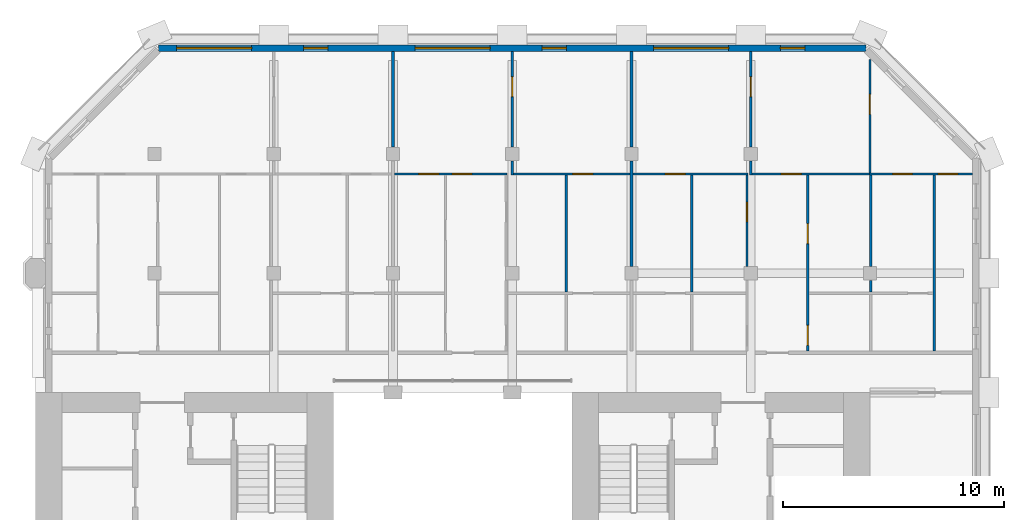
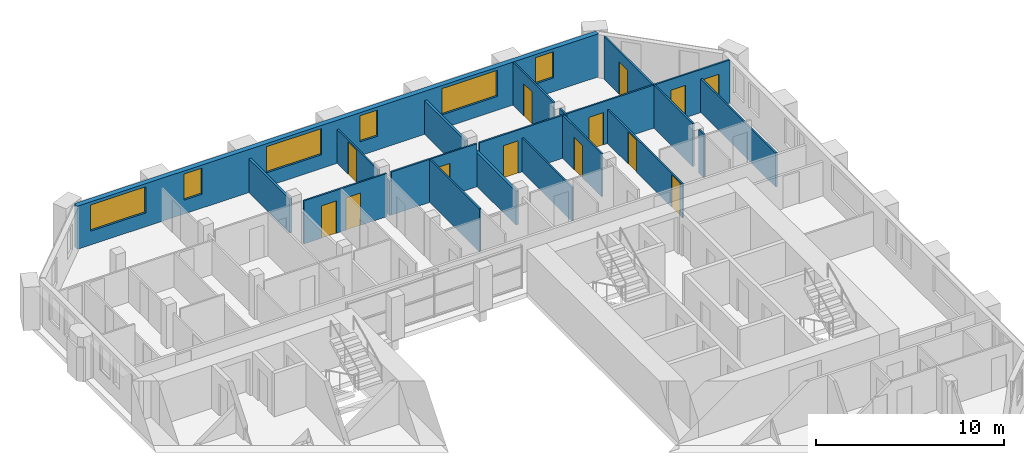
# One storey, part 9 of 13: 21 walls, 13 doors, 6 windows, 19 openings.
"""IFC4 building model written with IfcOpenShell, lengths in metres."""

from ifc_helpers import new_model, si_unit, direction, frame, frame_2d, origin, place, context, subcontext, project, spatial, rectangle, extrude, material, layer, layer_set, type_object, element, fill, save


model = new_model("IFC4")

# Units and contexts
model_context = context("Model", 3, precision=1e-05, world=origin(), true_north=direction((0.0, 1.0)))
body_context = subcontext(model_context, "Body", "Model", "MODEL_VIEW")
ifc_project = project(units=[si_unit("LENGTHUNIT", "METRE"), si_unit("AREAUNIT", "SQUARE_METRE"), si_unit("VOLUMEUNIT", "CUBIC_METRE"), si_unit("PLANEANGLEUNIT", "RADIAN"), si_unit("MASSUNIT", "GRAM", prefix="KILO")], contexts=[model_context])

# Site, building, storey
site_placement = place(None, origin())
site = spatial("IfcSite", under=ifc_project, at=site_placement, CompositionType="ELEMENT")
building_placement = place(site_placement, origin())
building = spatial("IfcBuilding", under=site, at=building_placement, Name="Tabaq Tower and Sports Hall", CompositionType="ELEMENT")
storey_placement = place(building_placement, frame((0.0, 0.0, 304.89990234375)))
storey = spatial("IfcBuildingStorey", under=building, at=storey_placement, Name="L76", CompositionType="ELEMENT", Elevation=304.89990234375)

# Wall, openings, doors
ifc_material_1 = material(Name="Gypsum board on steel studs", Category="steel")
ifc_layer_1 = layer(ifc_material_1, 0.10009765625)
ifc_layer_set_1 = layer_set([ifc_layer_1], Name="Partition 100 Gypsum board")
wall_type_1 = type_object("IfcWallType", Name="Partition 100 Gypsum board", PredefinedType="PARTITIONING", material=ifc_layer_set_1)
wall_1_placement = place(storey_placement, frame((21.675048828125, 42.300048828125, 0.0), z_axis=(0.0, 0.0, 1.0), x_axis=(1.0, 0.0, 0.0)))
wall_1 = element("IfcWall", 1, at=wall_1_placement, inside=storey, type_object=wall_type_1, Name="Partition wall L76", PredefinedType="PARTITIONING", context=body_context, shape_type="SweptSolid", body=[
    extrude(rectangle(XDim=5.096923828125, YDim=0.10009765625, at=frame_2d((2.54833984375, 0.0))), origin(), (0.0, 0.0, 1.0), 2.800048828125),
])
opening_1_placement = place(wall_1_placement, frame((1.096923828125, 0.0, 0.0)))
opening_1 = element("IfcOpeningElement", 2, at=opening_1_placement, cuts=wall_1, Name="Opening L76-033", PredefinedType="OPENING", context=body_context, shape_type="SweptSolid", body=[
    extrude(rectangle(XDim=0.89990234375, YDim=2.10009765625, at=frame_2d((0.449951171875, 1.050048828125))), frame((0.0, 0.050048828125, 0.0), z_axis=(0.0, -1.0, 0.0), x_axis=(1.0, 0.0, 0.0)), (0.0, 0.0, 1.0), 0.10009765625),
])
opening_2_placement = place(wall_1_placement, frame((2.596923828125, 0.0, 0.0)))
opening_2 = element("IfcOpeningElement", 3, at=opening_2_placement, cuts=wall_1, Name="Opening L76-052", PredefinedType="OPENING", context=body_context, shape_type="SweptSolid", body=[
    extrude(rectangle(XDim=0.89990234375, YDim=2.10009765625, at=frame_2d((0.449951171875, 1.050048828125))), frame((0.0, 0.050048828125, 0.0), z_axis=(0.0, -1.0, 0.0), x_axis=(1.0, 0.0, 0.0)), (0.0, 0.0, 1.0), 0.10009765625),
])
ifc_material_2 = material(Name="Timber leaf in steel frame", Category="steel")
door_type_1 = type_object("IfcDoorType", Name="Internal door 900 left hand", OperationType="SINGLE_SWING_LEFT", PredefinedType="DOOR", material=ifc_material_2)
door_1_placement = place(opening_2_placement, origin())
door_1 = element("IfcDoor", 4, at=door_1_placement, inside=storey, type_object=door_type_1, Name="Internal door L76-052", OperationType="SINGLE_SWING_LEFT", OverallHeight=2.10009765625, OverallWidth=0.89990234375, PredefinedType="DOOR", context=body_context, shape_type="SweptSolid", body=[
    extrude(rectangle(XDim=0.89990234375, YDim=2.10009765625, at=frame_2d((0.449951171875, 1.050048828125))), frame((0.0, 0.02490234375, 0.0), z_axis=(0.0, -1.0, 0.0), x_axis=(1.0, 0.0, 0.0)), (0.0, 0.0, 1.0), 0.050048828125),
])
fill(opening_2, door_1)
ifc_material_3 = material(Name="Timber leaf in steel frame", Category="steel")
door_type_2 = type_object("IfcDoorType", Name="Internal door 900 right hand", OperationType="SINGLE_SWING_RIGHT", PredefinedType="DOOR", material=ifc_material_3)
door_2_placement = place(opening_1_placement, origin())
door_2 = element("IfcDoor", 5, at=door_2_placement, inside=storey, type_object=door_type_2, Name="Internal door L76-033", OperationType="SINGLE_SWING_RIGHT", OverallHeight=2.10009765625, OverallWidth=0.89990234375, PredefinedType="DOOR", context=body_context, shape_type="SweptSolid", body=[
    extrude(rectangle(XDim=0.89990234375, YDim=2.10009765625, at=frame_2d((0.449951171875, 1.050048828125))), frame((0.0, 0.02490234375, 0.0), z_axis=(0.0, -1.0, 0.0), x_axis=(1.0, 0.0, 0.0)), (0.0, 0.0, 1.0), 0.050048828125),
])
fill(opening_1, door_2)

# Wall
wall_2_placement = place(storey_placement, frame((27.0, 42.25, 0.0), z_axis=(0.0, 0.0, 1.0), x_axis=(0.0, 1.0, 0.0)))
element("IfcWall", 6, at=wall_2_placement, inside=storey, type_object=wall_type_1, Name="Partition wall L76", PredefinedType="PARTITIONING", context=body_context, shape_type="SweptSolid", body=[
    extrude(rectangle(XDim=0.6298828125, YDim=0.10009765625, at=frame_2d((0.31494140625, 0.0))), origin(), (0.0, 0.0, 1.0), 2.2001953125),
])

# Wall, opening, door
wall_3_placement = place(storey_placement, frame((27.0, 43.52001953125, 0.0), z_axis=(0.0, 0.0, 1.0), x_axis=(0.0, 1.0, 0.0)))
wall_3 = element("IfcWall", 7, at=wall_3_placement, inside=storey, type_object=wall_type_1, Name="Partition wall L76", PredefinedType="PARTITIONING", context=body_context, shape_type="SweptSolid", body=[
    extrude(rectangle(XDim=4.3291015625, YDim=0.10009765625, at=frame_2d((2.16455078125, 0.0))), origin(), (0.0, 0.0, 1.0), 2.2001953125),
])
opening_3_placement = place(wall_3_placement, frame((2.280029296875, 0.0, 0.0)))
opening_3 = element("IfcOpeningElement", 8, at=opening_3_placement, cuts=wall_3, Name="Opening L76-032", PredefinedType="OPENING", context=body_context, shape_type="SweptSolid", body=[
    extrude(rectangle(XDim=0.89990234375, YDim=2.10009765625, at=frame_2d((0.449951171875, 1.050048828125))), frame((0.0, 0.050048828125, 0.0), z_axis=(0.0, -1.0, 0.0), x_axis=(1.0, 0.0, 0.0)), (0.0, 0.0, 1.0), 0.10009765625),
])
door_3_placement = place(opening_3_placement, origin())
door_3 = element("IfcDoor", 9, at=door_3_placement, inside=storey, type_object=door_type_2, Name="Internal door L76-032", OperationType="SINGLE_SWING_RIGHT", OverallHeight=2.10009765625, OverallWidth=0.89990234375, PredefinedType="DOOR", context=body_context, shape_type="SweptSolid", body=[
    extrude(rectangle(XDim=0.89990234375, YDim=2.10009765625, at=frame_2d((0.449951171875, 1.050048828125))), frame((0.0, 0.02490234375, 0.0), z_axis=(0.0, -1.0, 0.0), x_axis=(1.0, 0.0, 0.0)), (0.0, 0.0, 1.0), 0.050048828125),
])
fill(opening_3, door_3)

wall_4_placement = place(storey_placement, frame((27.050048828125, 42.300048828125, 0.0), z_axis=(0.0, 0.0, 1.0), x_axis=(1.0, 0.0, 0.0)))
wall_4 = element("IfcWall", 10, at=wall_4_placement, inside=storey, type_object=wall_type_1, Name="Partition wall L76", PredefinedType="PARTITIONING", context=body_context, shape_type="SweptSolid", body=[
    extrude(rectangle(XDim=5.27490234375, YDim=0.10009765625, at=frame_2d((2.637451171875, 0.0))), origin(), (0.0, 0.0, 1.0), 2.800048828125),
])
opening_4_placement = place(wall_4_placement, frame((2.699951171875, 0.0, 0.0)))
opening_4 = element("IfcOpeningElement", 11, at=opening_4_placement, cuts=wall_4, Name="Opening L76-034", PredefinedType="OPENING", context=body_context, shape_type="SweptSolid", body=[
    extrude(rectangle(XDim=0.89990234375, YDim=2.10009765625, at=frame_2d((0.449951171875, 1.050048828125))), frame((0.0, 0.050048828125, 0.0), z_axis=(0.0, -1.0, 0.0), x_axis=(1.0, 0.0, 0.0)), (0.0, 0.0, 1.0), 0.10009765625),
])
door_4_placement = place(opening_4_placement, origin())
door_4 = element("IfcDoor", 12, at=door_4_placement, inside=storey, type_object=door_type_1, Name="Internal door L76-034", OperationType="SINGLE_SWING_LEFT", OverallHeight=2.10009765625, OverallWidth=0.89990234375, PredefinedType="DOOR", context=body_context, shape_type="SweptSolid", body=[
    extrude(rectangle(XDim=0.89990234375, YDim=2.10009765625, at=frame_2d((0.449951171875, 1.050048828125))), frame((0.0, 0.02490234375, 0.0), z_axis=(0.0, -1.0, 0.0), x_axis=(1.0, 0.0, 0.0)), (0.0, 0.0, 1.0), 0.050048828125),
])
fill(opening_4, door_4)

# Wall
wall_5_placement = place(storey_placement, frame((29.449951171875, 36.949951171875, 0.0), z_axis=(0.0, 0.0, 1.0), x_axis=(0.0, 1.0, 0.0)))
element("IfcWall", 13, at=wall_5_placement, inside=storey, type_object=wall_type_1, Name="Partition wall L76", PredefinedType="PARTITIONING", context=body_context, shape_type="SweptSolid", body=[
    extrude(rectangle(XDim=5.300048828125, YDim=0.10009765625, at=frame_2d((2.64990234375, 0.0))), origin(), (0.0, 0.0, 1.0), 2.800048828125),
])

# Wall, opening, door
wall_6_placement = place(storey_placement, frame((32.47509765625, 42.300048828125, 0.0), z_axis=(0.0, 0.0, 1.0), x_axis=(1.0, 0.0, 0.0)))
wall_6 = element("IfcWall", 14, at=wall_6_placement, inside=storey, type_object=wall_type_1, Name="Partition wall L76", PredefinedType="PARTITIONING", context=body_context, shape_type="SweptSolid", body=[
    extrude(rectangle(XDim=5.2099609375, YDim=0.10009765625, at=frame_2d((2.60498046875, 0.0))), origin(), (0.0, 0.0, 1.0), 2.800048828125),
])
opening_5_placement = place(wall_6_placement, frame((1.4599609375, 0.0, 0.0)))
opening_5 = element("IfcOpeningElement", 15, at=opening_5_placement, cuts=wall_6, Name="Opening L76-037", PredefinedType="OPENING", context=body_context, shape_type="SweptSolid", body=[
    extrude(rectangle(XDim=0.89990234375, YDim=2.10009765625, at=frame_2d((0.449951171875, 1.050048828125))), frame((0.0, 0.050048828125, 0.0), z_axis=(0.0, -1.0, 0.0), x_axis=(1.0, 0.0, 0.0)), (0.0, 0.0, 1.0), 0.10009765625),
])
door_5_placement = place(opening_5_placement, origin())
door_5 = element("IfcDoor", 16, at=door_5_placement, inside=storey, type_object=door_type_2, Name="Internal door L76-037", OperationType="SINGLE_SWING_RIGHT", OverallHeight=2.10009765625, OverallWidth=0.89990234375, PredefinedType="DOOR", context=body_context, shape_type="SweptSolid", body=[
    extrude(rectangle(XDim=0.89990234375, YDim=2.10009765625, at=frame_2d((0.449951171875, 1.050048828125))), frame((0.0, 0.02490234375, 0.0), z_axis=(0.0, -1.0, 0.0), x_axis=(1.0, 0.0, 0.0)), (0.0, 0.0, 1.0), 0.050048828125),
])
fill(opening_5, door_5)

# Wall
wall_7_placement = place(storey_placement, frame((37.800048828125, 42.25, 0.0), z_axis=(0.0, 0.0, 1.0), x_axis=(0.0, 1.0, 0.0)))
element("IfcWall", 17, at=wall_7_placement, inside=storey, type_object=wall_type_1, Name="Partition wall L76", PredefinedType="PARTITIONING", context=body_context, shape_type="SweptSolid", body=[
    extrude(rectangle(XDim=0.6298828125, YDim=0.10009765625, at=frame_2d((0.31494140625, 0.0))), origin(), (0.0, 0.0, 1.0), 2.800048828125),
])

# Wall, opening, door
wall_8_placement = place(storey_placement, frame((37.800048828125, 43.52001953125, 0.0), z_axis=(0.0, 0.0, 1.0), x_axis=(0.0, 1.0, 0.0)))
wall_8 = element("IfcWall", 18, at=wall_8_placement, inside=storey, type_object=wall_type_1, Name="Partition wall L76", PredefinedType="PARTITIONING", context=body_context, shape_type="SweptSolid", body=[
    extrude(rectangle(XDim=4.3291015625, YDim=0.10009765625, at=frame_2d((2.16455078125, 0.0))), origin(), (0.0, 0.0, 1.0), 2.800048828125),
])
opening_6_placement = place(wall_8_placement, frame((2.280029296875, 0.0, 0.0)))
opening_6 = element("IfcOpeningElement", 19, at=opening_6_placement, cuts=wall_8, Name="Opening L76-036", PredefinedType="OPENING", context=body_context, shape_type="SweptSolid", body=[
    extrude(rectangle(XDim=0.89990234375, YDim=2.10009765625, at=frame_2d((0.449951171875, 1.050048828125))), frame((0.0, 0.050048828125, 0.0), z_axis=(0.0, -1.0, 0.0), x_axis=(1.0, 0.0, 0.0)), (0.0, 0.0, 1.0), 0.10009765625),
])
door_6_placement = place(opening_6_placement, origin())
door_6 = element("IfcDoor", 20, at=door_6_placement, inside=storey, type_object=door_type_1, Name="Internal door L76-036", OperationType="SINGLE_SWING_LEFT", OverallHeight=2.10009765625, OverallWidth=0.89990234375, PredefinedType="DOOR", context=body_context, shape_type="SweptSolid", body=[
    extrude(rectangle(XDim=0.89990234375, YDim=2.10009765625, at=frame_2d((0.449951171875, 1.050048828125))), frame((0.0, 0.02490234375, 0.0), z_axis=(0.0, -1.0, 0.0), x_axis=(1.0, 0.0, 0.0)), (0.0, 0.0, 1.0), 0.050048828125),
])
fill(opening_6, door_6)

wall_9_placement = place(storey_placement, frame((37.85009765625, 42.300048828125, 0.0), z_axis=(0.0, 0.0, 1.0), x_axis=(1.0, 0.0, 0.0)))
wall_9 = element("IfcWall", 21, at=wall_9_placement, inside=storey, type_object=wall_type_1, Name="Partition wall L76", PredefinedType="PARTITIONING", context=body_context, shape_type="SweptSolid", body=[
    extrude(rectangle(XDim=5.39990234375, YDim=0.10009765625, at=frame_2d((2.699951171875, 0.0))), origin(), (0.0, 0.0, 1.0), 2.800048828125),
])
opening_7_placement = place(wall_9_placement, frame((1.3349609375, 0.0, 0.0)))
opening_7 = element("IfcOpeningElement", 22, at=opening_7_placement, cuts=wall_9, Name="Opening L76-054", PredefinedType="OPENING", context=body_context, shape_type="SweptSolid", body=[
    extrude(rectangle(XDim=0.89990234375, YDim=2.10009765625, at=frame_2d((0.449951171875, 1.050048828125))), frame((0.0, 0.050048828125, 0.0), z_axis=(0.0, -1.0, 0.0), x_axis=(1.0, 0.0, 0.0)), (0.0, 0.0, 1.0), 0.10009765625),
])
door_7_placement = place(opening_7_placement, origin())
door_7 = element("IfcDoor", 23, at=door_7_placement, inside=storey, type_object=door_type_2, Name="Internal door L76-054", OperationType="SINGLE_SWING_RIGHT", OverallHeight=2.10009765625, OverallWidth=0.89990234375, PredefinedType="DOOR", context=body_context, shape_type="SweptSolid", body=[
    extrude(rectangle(XDim=0.89990234375, YDim=2.10009765625, at=frame_2d((0.449951171875, 1.050048828125))), frame((0.0, 0.02490234375, 0.0), z_axis=(0.0, -1.0, 0.0), x_axis=(1.0, 0.0, 0.0)), (0.0, 0.0, 1.0), 0.050048828125),
])
fill(opening_7, door_7)

wall_10_placement = place(storey_placement, frame((43.199951171875, 42.35009765625, 0.0), z_axis=(0.0, 0.0, 1.0), x_axis=(0.0, 1.0, 0.0)))
wall_10 = element("IfcWall", 24, at=wall_10_placement, inside=storey, type_object=wall_type_1, Name="Partition wall L76", PredefinedType="PARTITIONING", context=body_context, shape_type="SweptSolid", body=[
    extrude(rectangle(XDim=5.1376953125, YDim=0.10009765625, at=frame_2d((2.56884765625, 0.0))), origin(), (0.0, 0.0, 1.0), 2.800048828125),
])
opening_8_placement = place(wall_10_placement, frame((2.64990234375, 0.0, 0.0)))
opening_8 = element("IfcOpeningElement", 25, at=opening_8_placement, cuts=wall_10, Name="Opening L76-053", PredefinedType="OPENING", context=body_context, shape_type="SweptSolid", body=[
    extrude(rectangle(XDim=0.89990234375, YDim=2.10009765625, at=frame_2d((0.449951171875, 1.050048828125))), frame((0.0, 0.050048828125, 0.0), z_axis=(0.0, -1.0, 0.0), x_axis=(1.0, 0.0, 0.0)), (0.0, 0.0, 1.0), 0.10009765625),
])
door_8_placement = place(opening_8_placement, origin())
door_8 = element("IfcDoor", 26, at=door_8_placement, inside=storey, type_object=door_type_2, Name="Internal door L76-053", OperationType="SINGLE_SWING_RIGHT", OverallHeight=2.10009765625, OverallWidth=0.89990234375, PredefinedType="DOOR", context=body_context, shape_type="SweptSolid", body=[
    extrude(rectangle(XDim=0.89990234375, YDim=2.10009765625, at=frame_2d((0.449951171875, 1.050048828125))), frame((0.0, 0.02490234375, 0.0), z_axis=(0.0, -1.0, 0.0), x_axis=(1.0, 0.0, 0.0)), (0.0, 0.0, 1.0), 0.050048828125),
])
fill(opening_8, door_8)

# Wall, openings, doors
wall_11_placement = place(storey_placement, frame((43.18505859375, 42.300048828125, 0.0), z_axis=(0.0, 0.0, 1.0), x_axis=(1.0, 0.0, 0.0)))
wall_11 = element("IfcWall", 27, at=wall_11_placement, inside=storey, type_object=wall_type_1, Name="Partition wall L76", PredefinedType="PARTITIONING", context=body_context, shape_type="SweptSolid", body=[
    extrude(rectangle(XDim=4.6640625, YDim=0.10009765625, at=frame_2d((2.33203125, 0.0))), origin(), (0.0, 0.0, 1.0), 2.800048828125),
])
opening_9_placement = place(wall_11_placement, frame((3.10009765625, 0.0, 0.0)))
opening_9 = element("IfcOpeningElement", 28, at=opening_9_placement, cuts=wall_11, Name="Opening L76-011", PredefinedType="OPENING", context=body_context, shape_type="SweptSolid", body=[
    extrude(rectangle(XDim=0.89990234375, YDim=2.10009765625, at=frame_2d((0.449951171875, 1.050048828125))), frame((0.0, 0.050048828125, 0.0), z_axis=(0.0, -1.0, 0.0), x_axis=(1.0, 0.0, 0.0)), (0.0, 0.0, 1.0), 0.10009765625),
])
opening_10_placement = place(wall_11_placement, frame((1.0400390625, 0.0, 0.0)))
opening_10 = element("IfcOpeningElement", 29, at=opening_10_placement, cuts=wall_11, Name="Opening L76-038", PredefinedType="OPENING", context=body_context, shape_type="SweptSolid", body=[
    extrude(rectangle(XDim=0.89990234375, YDim=2.10009765625, at=frame_2d((0.449951171875, 1.050048828125))), frame((0.0, 0.050048828125, 0.0), z_axis=(0.0, -1.0, 0.0), x_axis=(1.0, 0.0, 0.0)), (0.0, 0.0, 1.0), 0.10009765625),
])
door_9_placement = place(opening_10_placement, origin())
door_9 = element("IfcDoor", 30, at=door_9_placement, inside=storey, type_object=door_type_1, Name="Internal door L76-038", OperationType="SINGLE_SWING_LEFT", OverallHeight=2.10009765625, OverallWidth=0.89990234375, PredefinedType="DOOR", context=body_context, shape_type="SweptSolid", body=[
    extrude(rectangle(XDim=0.89990234375, YDim=2.10009765625, at=frame_2d((0.449951171875, 1.050048828125))), frame((0.0, 0.02490234375, 0.0), z_axis=(0.0, -1.0, 0.0), x_axis=(1.0, 0.0, 0.0)), (0.0, 0.0, 1.0), 0.050048828125),
])
fill(opening_10, door_9)
door_10_placement = place(opening_9_placement, origin())
door_10 = element("IfcDoor", 31, at=door_10_placement, inside=storey, type_object=door_type_2, Name="Internal door L76-011", OperationType="SINGLE_SWING_RIGHT", OverallHeight=2.10009765625, OverallWidth=0.89990234375, PredefinedType="DOOR", context=body_context, shape_type="SweptSolid", body=[
    extrude(rectangle(XDim=0.89990234375, YDim=2.10009765625, at=frame_2d((0.449951171875, 1.050048828125))), frame((0.0, 0.02490234375, 0.0), z_axis=(0.0, -1.0, 0.0), x_axis=(1.0, 0.0, 0.0)), (0.0, 0.0, 1.0), 0.050048828125),
])
fill(opening_9, door_10)

# Wall
wall_12_placement = place(storey_placement, frame((35.135009765625, 36.949951171875, 0.0), z_axis=(0.0, 0.0, 1.0), x_axis=(0.0, 1.0, 0.0)))
element("IfcWall", 32, at=wall_12_placement, inside=storey, type_object=wall_type_1, Name="Partition wall L76", PredefinedType="PARTITIONING", context=body_context, shape_type="SweptSolid", body=[
    extrude(rectangle(XDim=5.300048828125, YDim=0.10009765625, at=frame_2d((2.64990234375, 0.0))), origin(), (0.0, 0.0, 1.0), 2.2001953125),
])

# Wall, opening, door
wall_13_placement = place(storey_placement, frame((37.635009765625, 38.1201171875, 0.0), z_axis=(0.0, 0.0, 1.0), x_axis=(0.0, 1.0, 0.0)))
wall_13 = element("IfcWall", 33, at=wall_13_placement, inside=storey, type_object=wall_type_1, Name="Partition wall L76", PredefinedType="PARTITIONING", context=body_context, shape_type="SweptSolid", body=[
    extrude(rectangle(XDim=4.1298828125, YDim=0.10009765625, at=frame_2d((2.06494140625, 0.0))), origin(), (0.0, 0.0, 1.0), 2.800048828125),
])
opening_11_placement = place(wall_13_placement, frame((2.0048828125, 0.0, 0.0)))
opening_11 = element("IfcOpeningElement", 34, at=opening_11_placement, cuts=wall_13, Name="Opening L76-013", PredefinedType="OPENING", context=body_context, shape_type="SweptSolid", body=[
    extrude(rectangle(XDim=0.89990234375, YDim=2.10009765625, at=frame_2d((0.449951171875, 1.050048828125))), frame((0.0, 0.050048828125, 0.0), z_axis=(0.0, -1.0, 0.0), x_axis=(1.0, 0.0, 0.0)), (0.0, 0.0, 1.0), 0.10009765625),
])
door_11_placement = place(opening_11_placement, origin())
door_11 = element("IfcDoor", 35, at=door_11_placement, inside=storey, type_object=door_type_2, Name="Internal door L76-013", OperationType="SINGLE_SWING_RIGHT", OverallHeight=2.10009765625, OverallWidth=0.89990234375, PredefinedType="DOOR", context=body_context, shape_type="SweptSolid", body=[
    extrude(rectangle(XDim=0.89990234375, YDim=2.10009765625, at=frame_2d((0.449951171875, 1.050048828125))), frame((0.0, 0.02490234375, 0.0), z_axis=(0.0, -1.0, 0.0), x_axis=(1.0, 0.0, 0.0)), (0.0, 0.0, 1.0), 0.050048828125),
])
fill(opening_11, door_11)

# Wall, openings, doors
wall_14_placement = place(storey_placement, frame((40.385009765625, 34.27490234375, 0.0), z_axis=(0.0, 0.0, 1.0), x_axis=(0.0, 1.0, 0.0)))
wall_14 = element("IfcWall", 36, at=wall_14_placement, inside=storey, type_object=wall_type_1, Name="Partition wall L76", PredefinedType="PARTITIONING", context=body_context, shape_type="SweptSolid", body=[
    extrude(rectangle(XDim=7.97509765625, YDim=0.10009765625, at=frame_2d((3.987548828125, 0.0))), origin(), (0.0, 0.0, 1.0), 2.2001953125),
])
opening_12_placement = place(wall_14_placement, frame((4.875, 0.0, 0.0)))
opening_12 = element("IfcOpeningElement", 37, at=opening_12_placement, cuts=wall_14, Name="Opening L76-015", PredefinedType="OPENING", context=body_context, shape_type="SweptSolid", body=[
    extrude(rectangle(XDim=0.89990234375, YDim=2.10009765625, at=frame_2d((0.449951171875, 1.050048828125))), frame((0.0, 0.050048828125, 0.0), z_axis=(0.0, -1.0, 0.0), x_axis=(1.0, 0.0, 0.0)), (0.0, 0.0, 1.0), 0.10009765625),
])
opening_13_placement = place(wall_14_placement, frame((0.262451171875, 0.0, 0.0)))
opening_13 = element("IfcOpeningElement", 38, at=opening_13_placement, cuts=wall_14, Name="Opening L76-016", PredefinedType="OPENING", context=body_context, shape_type="SweptSolid", body=[
    extrude(rectangle(XDim=0.89990234375, YDim=2.10009765625, at=frame_2d((0.449951171875, 1.050048828125))), frame((0.0, 0.050048828125, 0.0), z_axis=(0.0, -1.0, 0.0), x_axis=(1.0, 0.0, 0.0)), (0.0, 0.0, 1.0), 0.10009765625),
])
door_12_placement = place(opening_12_placement, origin())
door_12 = element("IfcDoor", 39, at=door_12_placement, inside=storey, type_object=door_type_1, Name="Internal door L76-015", OperationType="SINGLE_SWING_LEFT", OverallHeight=2.10009765625, OverallWidth=0.89990234375, PredefinedType="DOOR", context=body_context, shape_type="SweptSolid", body=[
    extrude(rectangle(XDim=0.89990234375, YDim=2.10009765625, at=frame_2d((0.449951171875, 1.050048828125))), frame((0.0, 0.02490234375, 0.0), z_axis=(0.0, -1.0, 0.0), x_axis=(1.0, 0.0, 0.0)), (0.0, 0.0, 1.0), 0.050048828125),
])
fill(opening_12, door_12)
door_13_placement = place(opening_13_placement, origin())
door_13 = element("IfcDoor", 40, at=door_13_placement, inside=storey, type_object=door_type_1, Name="Internal door L76-016", OperationType="SINGLE_SWING_LEFT", OverallHeight=2.10009765625, OverallWidth=0.89990234375, PredefinedType="DOOR", context=body_context, shape_type="SweptSolid", body=[
    extrude(rectangle(XDim=0.89990234375, YDim=2.10009765625, at=frame_2d((0.449951171875, 1.050048828125))), frame((0.0, 0.02490234375, 0.0), z_axis=(0.0, -1.0, 0.0), x_axis=(1.0, 0.0, 0.0)), (0.0, 0.0, 1.0), 0.050048828125),
])
fill(opening_13, door_13)

# Walls
wall_15_placement = place(storey_placement, frame((43.235107421875, 36.949951171875, 0.0), z_axis=(0.0, 0.0, 1.0), x_axis=(0.0, 1.0, 0.0)))
element("IfcWall", 41, at=wall_15_placement, inside=storey, type_object=wall_type_1, Name="Partition wall L76", PredefinedType="PARTITIONING", context=body_context, shape_type="SweptSolid", body=[
    extrude(rectangle(XDim=0.530029296875, YDim=0.10009765625, at=frame_2d((0.26513671875, 0.0))), origin(), (0.0, 0.0, 1.0), 2.800048828125),
])
wall_16_placement = place(storey_placement, frame((43.235107421875, 38.1201171875, 0.0), z_axis=(0.0, 0.0, 1.0), x_axis=(0.0, 1.0, 0.0)))
element("IfcWall", 42, at=wall_16_placement, inside=storey, type_object=wall_type_1, Name="Partition wall L76", PredefinedType="PARTITIONING", context=body_context, shape_type="SweptSolid", body=[
    extrude(rectangle(XDim=4.1298828125, YDim=0.10009765625, at=frame_2d((2.06494140625, 0.0))), origin(), (0.0, 0.0, 1.0), 2.800048828125),
])
wall_17_placement = place(storey_placement, frame((46.114990234375, 34.27490234375, 0.0), z_axis=(0.0, 0.0, 1.0), x_axis=(0.0, 1.0, 0.0)))
element("IfcWall", 43, at=wall_17_placement, inside=storey, type_object=wall_type_1, Name="Partition wall L76", PredefinedType="PARTITIONING", context=body_context, shape_type="SweptSolid", body=[
    extrude(rectangle(XDim=7.97509765625, YDim=0.10009765625, at=frame_2d((3.987548828125, 0.0))), origin(), (0.0, 0.0, 1.0), 2.2001953125),
])
ifc_material_4 = material(Name="Blockwork", Category="masonry")
ifc_layer_2 = layer(ifc_material_4, 0.14990234375)
ifc_layer_set_2 = layer_set([ifc_layer_2], Name="Separating wall 150 Blockwork")
wall_type_2 = type_object("IfcWallType", Name="Separating wall 150 Blockwork", PredefinedType="PARTITIONING", material=ifc_layer_set_2)
for number, where, z_axis, x_axis, name in (
    (44, (21.60009765625, 43.52001953125, 0.0), (0.0, 0.0, 1.0), (0.0, 1.0, 0.0), "Separating wall L76"),
    (45, (32.39990234375, 43.52001953125, 0.0), (0.0, 0.0, 1.0), (0.0, 1.0, 0.0), "Separating wall L76"),
):
    element("IfcWall", number, at=place(storey_placement, frame(where, z_axis=z_axis, x_axis=x_axis)), inside=storey, type_object=wall_type_2, Name=name, PredefinedType="PARTITIONING", context=body_context, shape_type="SweptSolid", body=[
        extrude(rectangle(XDim=4.3291015625, YDim=0.14990234375, at=frame_2d((2.16455078125, 0.0))), origin(), (0.0, 0.0, 1.0), 2.2001953125),
    ])
wall_18_placement = place(storey_placement, frame((32.39990234375, 38.1201171875, 0.0), z_axis=(0.0, 0.0, 1.0), x_axis=(0.0, 1.0, 0.0)))
element("IfcWall", 46, at=wall_18_placement, inside=storey, type_object=wall_type_2, Name="Separating wall L76", PredefinedType="PARTITIONING", context=body_context, shape_type="SweptSolid", body=[
    extrude(rectangle(XDim=4.759765625, YDim=0.14990234375, at=frame_2d((2.3798828125, 0.0))), origin(), (0.0, 0.0, 1.0), 2.2001953125),
])

# Wall, openings, windows
ifc_material_5 = material(Name="White precast concrete C60/75", Category="concrete")
ifc_layer_3 = layer(ifc_material_5, 0.300048828125)
ifc_layer_set_3 = layer_set([ifc_layer_3], Name="White precast concrete C60/75 external wall 300")
wall_type_3 = type_object("IfcWallType", Name="White precast concrete C60/75 external wall 300", PredefinedType="SOLIDWALL", material=ifc_layer_set_3)
wall_19_placement = place(storey_placement, frame((43.013671875, 48.0, 0.0), z_axis=(0.0, 0.0, 1.0), x_axis=(-1.0, 0.0, 0.0)))
wall_19 = element("IfcWall", 47, at=wall_19_placement, inside=storey, type_object=wall_type_3, Name="External Wall L76 N", PredefinedType="SOLIDWALL", context=body_context, shape_type="SweptSolid", body=[
    extrude(rectangle(XDim=32.02734375, YDim=0.300048828125, at=frame_2d((16.013671875, 0.0))), origin(), (0.0, 0.0, 1.0), 2.800048828125),
])
opening_14_placement = place(wall_19_placement, frame((2.763671875, 0.0, 0.89990234375)))
opening_14 = element("IfcOpeningElement", 48, at=opening_14_placement, cuts=wall_19, Name="Opening W1B", PredefinedType="OPENING", context=body_context, shape_type="SweptSolid", body=[
    extrude(rectangle(XDim=1.10009765625, YDim=1.699951171875, at=frame_2d((0.550048828125, 0.85009765625))), frame((0.0, 0.16015625, 0.0), z_axis=(0.0, -1.0, 0.0), x_axis=(1.0, 0.0, 0.0)), (0.0, 0.0, 1.0), 0.320068359375),
])
opening_15_placement = place(wall_19_placement, frame((6.213623046875, 0.0, 0.89990234375)))
opening_15 = element("IfcOpeningElement", 49, at=opening_15_placement, cuts=wall_19, Name="Opening W1A", PredefinedType="OPENING", context=body_context, shape_type="SweptSolid", body=[
    extrude(rectangle(XDim=3.39990234375, YDim=1.699951171875, at=frame_2d((1.699951171875, 0.85009765625))), frame((0.0, 0.16015625, 0.0), z_axis=(0.0, -1.0, 0.0), x_axis=(1.0, 0.0, 0.0)), (0.0, 0.0, 1.0), 0.320068359375),
])
opening_16_placement = place(wall_19_placement, frame((13.563720703125, 0.0, 0.89990234375)))
opening_16 = element("IfcOpeningElement", 50, at=opening_16_placement, cuts=wall_19, Name="Opening W1B", PredefinedType="OPENING", context=body_context, shape_type="SweptSolid", body=[
    extrude(rectangle(XDim=1.10009765625, YDim=1.699951171875, at=frame_2d((0.550048828125, 0.85009765625))), frame((0.0, 0.16015625, 0.0), z_axis=(0.0, -1.0, 0.0), x_axis=(1.0, 0.0, 0.0)), (0.0, 0.0, 1.0), 0.320068359375),
])
opening_17_placement = place(wall_19_placement, frame((17.013671875, 0.0, 0.89990234375)))
opening_17 = element("IfcOpeningElement", 51, at=opening_17_placement, cuts=wall_19, Name="Opening W1A", PredefinedType="OPENING", context=body_context, shape_type="SweptSolid", body=[
    extrude(rectangle(XDim=3.39990234375, YDim=1.699951171875, at=frame_2d((1.699951171875, 0.85009765625))), frame((0.0, 0.16015625, 0.0), z_axis=(0.0, -1.0, 0.0), x_axis=(1.0, 0.0, 0.0)), (0.0, 0.0, 1.0), 0.320068359375),
])
opening_18_placement = place(wall_19_placement, frame((24.363525390625, 0.0, 0.89990234375)))
opening_18 = element("IfcOpeningElement", 52, at=opening_18_placement, cuts=wall_19, Name="Opening W1B", PredefinedType="OPENING", context=body_context, shape_type="SweptSolid", body=[
    extrude(rectangle(XDim=1.10009765625, YDim=1.699951171875, at=frame_2d((0.550048828125, 0.85009765625))), frame((0.0, 0.16015625, 0.0), z_axis=(0.0, -1.0, 0.0), x_axis=(1.0, 0.0, 0.0)), (0.0, 0.0, 1.0), 0.320068359375),
])
opening_19_placement = place(wall_19_placement, frame((27.813720703125, 0.0, 0.89990234375)))
opening_19 = element("IfcOpeningElement", 53, at=opening_19_placement, cuts=wall_19, Name="Opening W1A", PredefinedType="OPENING", context=body_context, shape_type="SweptSolid", body=[
    extrude(rectangle(XDim=3.39990234375, YDim=1.699951171875, at=frame_2d((1.699951171875, 0.85009765625))), frame((0.0, 0.16015625, 0.0), z_axis=(0.0, -1.0, 0.0), x_axis=(1.0, 0.0, 0.0)), (0.0, 0.0, 1.0), 0.320068359375),
])
ifc_material_6 = material(Name="Aluminium framed clear glazing", Category="aluminium")
window_type_1 = type_object("IfcWindowType", Name="Window W1A", PartitioningType="SINGLE_PANEL", PredefinedType="WINDOW", material=ifc_material_6)
window_1_placement = place(opening_15_placement, origin())
window_1 = element("IfcWindow", 54, at=window_1_placement, inside=storey, type_object=window_type_1, Name="Window W1A L76", OverallHeight=1.699951171875, OverallWidth=3.39990234375, PartitioningType="SINGLE_PANEL", PredefinedType="WINDOW", context=body_context, shape_type="SweptSolid", body=[
    extrude(rectangle(XDim=3.39990234375, YDim=1.699951171875, at=frame_2d((1.699951171875, 0.85009765625))), frame((0.0, 0.030029296875, 0.0), z_axis=(0.0, -1.0, 0.0), x_axis=(1.0, 0.0, 0.0)), (0.0, 0.0, 1.0), 0.06005859375),
])
fill(opening_15, window_1)
window_2_placement = place(opening_17_placement, origin())
window_2 = element("IfcWindow", 55, at=window_2_placement, inside=storey, type_object=window_type_1, Name="Window W1A L76", OverallHeight=1.699951171875, OverallWidth=3.39990234375, PartitioningType="SINGLE_PANEL", PredefinedType="WINDOW", context=body_context, shape_type="SweptSolid", body=[
    extrude(rectangle(XDim=3.39990234375, YDim=1.699951171875, at=frame_2d((1.699951171875, 0.85009765625))), frame((0.0, 0.030029296875, 0.0), z_axis=(0.0, -1.0, 0.0), x_axis=(1.0, 0.0, 0.0)), (0.0, 0.0, 1.0), 0.06005859375),
])
fill(opening_17, window_2)
window_3_placement = place(opening_19_placement, origin())
window_3 = element("IfcWindow", 56, at=window_3_placement, inside=storey, type_object=window_type_1, Name="Window W1A L76", OverallHeight=1.699951171875, OverallWidth=3.39990234375, PartitioningType="SINGLE_PANEL", PredefinedType="WINDOW", context=body_context, shape_type="SweptSolid", body=[
    extrude(rectangle(XDim=3.39990234375, YDim=1.699951171875, at=frame_2d((1.699951171875, 0.85009765625))), frame((0.0, 0.030029296875, 0.0), z_axis=(0.0, -1.0, 0.0), x_axis=(1.0, 0.0, 0.0)), (0.0, 0.0, 1.0), 0.06005859375),
])
fill(opening_19, window_3)
ifc_material_7 = material(Name="Aluminium framed clear glazing", Category="aluminium")
window_type_2 = type_object("IfcWindowType", Name="Window W1B", PartitioningType="SINGLE_PANEL", PredefinedType="WINDOW", material=ifc_material_7)
window_4_placement = place(opening_14_placement, origin())
window_4 = element("IfcWindow", 57, at=window_4_placement, inside=storey, type_object=window_type_2, Name="Window W1B L76", OverallHeight=1.699951171875, OverallWidth=1.10009765625, PartitioningType="SINGLE_PANEL", PredefinedType="WINDOW", context=body_context, shape_type="SweptSolid", body=[
    extrude(rectangle(XDim=1.10009765625, YDim=1.699951171875, at=frame_2d((0.550048828125, 0.85009765625))), frame((0.0, 0.030029296875, 0.0), z_axis=(0.0, -1.0, 0.0), x_axis=(1.0, 0.0, 0.0)), (0.0, 0.0, 1.0), 0.06005859375),
])
fill(opening_14, window_4)
window_5_placement = place(opening_16_placement, origin())
window_5 = element("IfcWindow", 58, at=window_5_placement, inside=storey, type_object=window_type_2, Name="Window W1B L76", OverallHeight=1.699951171875, OverallWidth=1.10009765625, PartitioningType="SINGLE_PANEL", PredefinedType="WINDOW", context=body_context, shape_type="SweptSolid", body=[
    extrude(rectangle(XDim=1.10009765625, YDim=1.699951171875, at=frame_2d((0.550048828125, 0.85009765625))), frame((0.0, 0.030029296875, 0.0), z_axis=(0.0, -1.0, 0.0), x_axis=(1.0, 0.0, 0.0)), (0.0, 0.0, 1.0), 0.06005859375),
])
fill(opening_16, window_5)
window_6_placement = place(opening_18_placement, origin())
window_6 = element("IfcWindow", 59, at=window_6_placement, inside=storey, type_object=window_type_2, Name="Window W1B L76", OverallHeight=1.699951171875, OverallWidth=1.10009765625, PartitioningType="SINGLE_PANEL", PredefinedType="WINDOW", context=body_context, shape_type="SweptSolid", body=[
    extrude(rectangle(XDim=1.10009765625, YDim=1.699951171875, at=frame_2d((0.550048828125, 0.85009765625))), frame((0.0, 0.030029296875, 0.0), z_axis=(0.0, -1.0, 0.0), x_axis=(1.0, 0.0, 0.0)), (0.0, 0.0, 1.0), 0.06005859375),
])
fill(opening_18, window_6)

save(model, "model.ifc")
